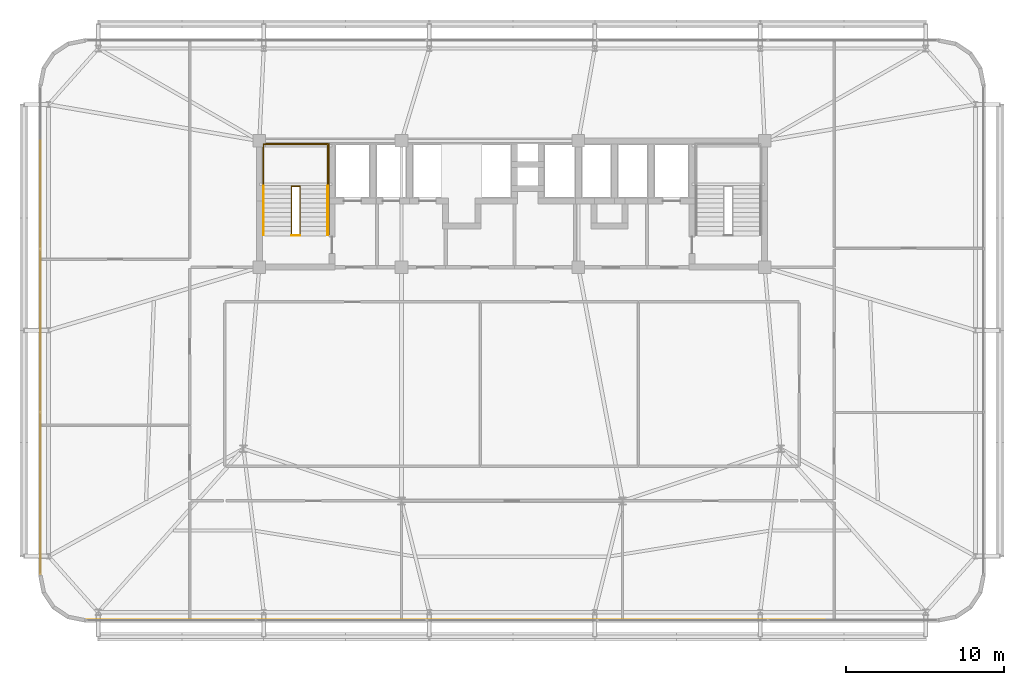
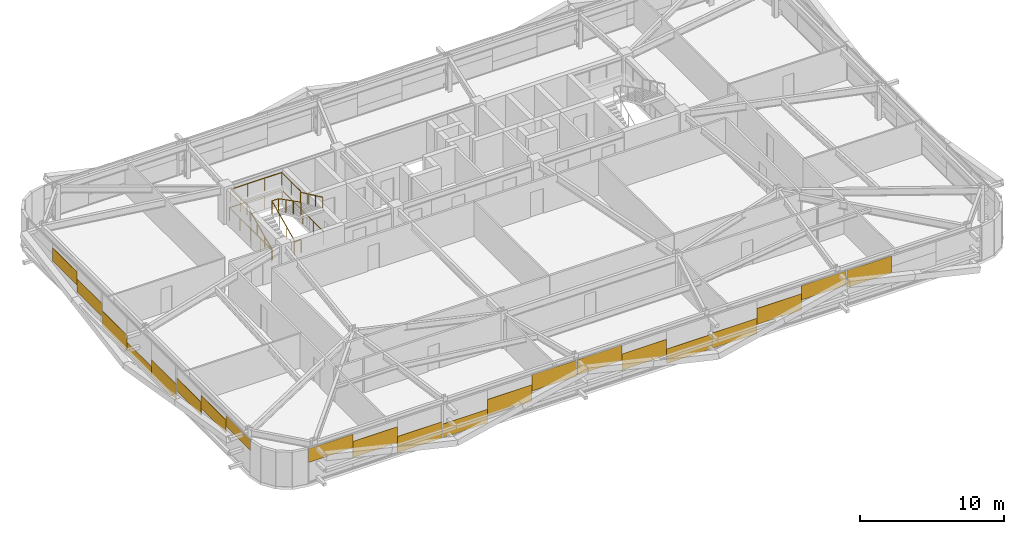
# One storey, part 42 of 44: 21 coverings, 6 railings.
"""IFC4 building model written with IfcOpenShell, lengths in metres."""

from ifc_helpers import new_model, si_unit, direction, frame, origin, origin_2d, place, context, subcontext, project, spatial, rectangle, extrude, source, transform, mapped, material, layer, layer_set, type_object, element, save


model = new_model("IFC4")

# Units and contexts
model_context = context("Model", 3, precision=1e-05, world=origin(), true_north=direction((0.0, 1.0)))
body_context = subcontext(model_context, "Body", "Model", "MODEL_VIEW")
ifc_project = project(units=[si_unit("LENGTHUNIT", "METRE"), si_unit("AREAUNIT", "SQUARE_METRE"), si_unit("VOLUMEUNIT", "CUBIC_METRE"), si_unit("PLANEANGLEUNIT", "RADIAN"), si_unit("MASSUNIT", "GRAM", prefix="KILO")], contexts=[model_context])

# Site, building, storey
site_placement = place(None, origin())
site = spatial("IfcSite", under=ifc_project, at=site_placement, CompositionType="ELEMENT")
building_placement = place(site_placement, origin())
building = spatial("IfcBuilding", under=site, at=building_placement, Name="Taldren Reach Tower", CompositionType="ELEMENT")
storey_placement = place(building_placement, frame((0.0, 0.0, 38.85009765625)))
storey = spatial("IfcBuildingStorey", under=building, at=storey_placement, Name="L11", CompositionType="ELEMENT", Elevation=38.85009765625)

# Railings
ifc_material_1 = material(Name="Steel Gr 350 (C350L0)", Category="steel")
ifc_layer_1 = layer(ifc_material_1, 0.050048828125)
ifc_layer_set_1 = layer_set([ifc_layer_1], Name="Steel Gr 350 (C350L0)")
railing_type_1 = type_object("IfcRailingType", Name="RL-STAIR-GR", PredefinedType="GUARDRAIL", material=ifc_layer_set_1)
railing_1_placement = place(storey_placement, frame((19.260009765625, 29.135009765625, 1.574951171875)))
element("IfcRailing", 1, at=railing_1_placement, inside=storey, type_object=railing_type_1, Name="Stair half-landing perimeter guard ST1-L11", PredefinedType="GUARDRAIL", context=body_context, shape_type="SweptSolid", body=[
    extrude(rectangle(XDim=0.047852, YDim=0.047852, at=origin_2d()), frame((0.0, 0.0, 1.09619140625), z_axis=(0.0, 1.0, 0.0), x_axis=(-1.0, 0.0, 0.0)), (0.0, 0.0, 1.0), 2.64501953125),
    extrude(rectangle(XDim=0.047852, YDim=0.047852, at=origin_2d()), frame((0.0, 2.64501953125, 1.09619140625), z_axis=(1.0, 0.0, 0.0), x_axis=(0.0, 1.0, 0.0)), (0.0, 0.0, 1.0), 4.080078125),
    extrude(rectangle(XDim=0.047852, YDim=0.047852, at=origin_2d()), frame((4.080078125, 2.64501953125, 1.09619140625), z_axis=(0.0, -1.0, 0.0), x_axis=(1.0, 0.0, 0.0)), (0.0, 0.0, 1.0), 2.64501953125),
    extrude(rectangle(XDim=0.041992, YDim=0.041992, at=origin_2d()), origin(), (0.0, 0.0, 1.0), 1.072021484375),
    extrude(rectangle(XDim=0.041992, YDim=0.041992, at=origin_2d()), frame((0.0, 1.322509765625, 0.0)), (0.0, 0.0, 1.0), 1.072021484375),
    extrude(rectangle(XDim=0.041992, YDim=0.041992, at=origin_2d()), frame((0.0, 2.64501953125, 0.0)), (0.0, 0.0, 1.0), 1.072021484375),
    extrude(rectangle(XDim=0.041992, YDim=0.041992, at=origin_2d()), frame((1.360107421875, 2.64501953125, 0.0)), (0.0, 0.0, 1.0), 1.072021484375),
    extrude(rectangle(XDim=0.041992, YDim=0.041992, at=origin_2d()), frame((2.719970703125, 2.64501953125, 0.0)), (0.0, 0.0, 1.0), 1.072021484375),
    extrude(rectangle(XDim=0.041992, YDim=0.041992, at=origin_2d()), frame((4.080078125, 2.64501953125, 0.0)), (0.0, 0.0, 1.0), 1.072021484375),
    extrude(rectangle(XDim=0.041992, YDim=0.041992, at=origin_2d()), frame((4.080078125, 1.322509765625, 0.0)), (0.0, 0.0, 1.0), 1.072021484375),
    extrude(rectangle(XDim=0.041992, YDim=0.041992, at=origin_2d()), frame((4.080078125, 0.0, 0.0)), (0.0, 0.0, 1.0), 1.072021484375),
])
railing_2_placement = place(storey_placement, frame((21.030029296875, 26.050048828125, 0.131103515625)))
element("IfcRailing", 2, at=railing_2_placement, inside=storey, type_object=railing_type_1, Name="Stairwell inner guard ST1-L11", PredefinedType="GUARDRAIL", context=body_context, shape_type="SweptSolid", body=[
    extrude(rectangle(XDim=0.047852, YDim=0.047852, at=origin_2d()), frame((0.0, 0.0, 1.09619140625), z_axis=(0.0, 0.905710134349, 0.423897573167), x_axis=(-1.0, 0.0, 0.0)), (0.0, 0.0, 1.0), 3.406005859375),
    extrude(rectangle(XDim=0.047852, YDim=0.047852, at=origin_2d()), frame((0.0, 3.0849609375, 2.5400390625), z_axis=(1.0, 0.0, 0.0), x_axis=(0.0, 1.0, 0.0)), (0.0, 0.0, 1.0), 0.5400390625),
    extrude(rectangle(XDim=0.047852, YDim=0.047852, at=origin_2d()), frame((0.5400390625, 3.0849609375, 2.5400390625), z_axis=(0.0, -0.890645957773, 0.45469745755), x_axis=(1.0, 0.0, 0.0)), (0.0, 0.0, 1.0), 3.463623046875),
    extrude(rectangle(XDim=0.041992, YDim=0.041992, at=origin_2d()), origin(), (0.0, 0.0, 1.0), 1.072021484375),
    extrude(rectangle(XDim=0.041992, YDim=0.041992, at=origin_2d()), frame((0.0, 1.0283203125, 0.481201171875)), (0.0, 0.0, 1.0), 1.072021484375),
    extrude(rectangle(XDim=0.041992, YDim=0.041992, at=origin_2d()), frame((0.0, 2.056640625, 0.962646484375)), (0.0, 0.0, 1.0), 1.072021484375),
    extrude(rectangle(XDim=0.041992, YDim=0.041992, at=origin_2d()), frame((0.0, 3.0849609375, 1.44384765625)), (0.0, 0.0, 1.0), 1.072021484375),
    extrude(rectangle(XDim=0.041992, YDim=0.041992, at=origin_2d()), frame((0.5400390625, 3.0849609375, 1.44384765625)), (0.0, 0.0, 1.0), 1.072021484375),
    extrude(rectangle(XDim=0.041992, YDim=0.041992, at=origin_2d()), frame((0.5400390625, 2.056640625, 1.96875)), (0.0, 0.0, 1.0), 1.072021484375),
    extrude(rectangle(XDim=0.041992, YDim=0.041992, at=origin_2d()), frame((0.5400390625, 1.0283203125, 2.493896484375)), (0.0, 0.0, 1.0), 1.072021484375),
    extrude(rectangle(XDim=0.041992, YDim=0.041992, at=origin_2d()), frame((0.5400390625, 0.0, 3.018798828125)), (0.0, 0.0, 1.0), 1.072021484375),
])
railing_3_placement = place(storey_placement, frame((21.030029296875, 26.010009765625, 0.0)))
element("IfcRailing", 3, at=railing_3_placement, inside=storey, type_object=railing_type_1, Name="Stairwell landing slot guard ST1-L11", PredefinedType="GUARDRAIL", context=body_context, shape_type="SweptSolid", body=[
    extrude(rectangle(XDim=0.047852, YDim=0.047852, at=origin_2d()), frame((0.0, 0.0, 1.09619140625), z_axis=(1.0, 0.0, 0.0), x_axis=(0.0, 1.0, 0.0)), (0.0, 0.0, 1.0), 0.5400390625),
    extrude(rectangle(XDim=0.041992, YDim=0.041992, at=origin_2d()), origin(), (0.0, 0.0, 1.0), 1.072021484375),
    extrude(rectangle(XDim=0.041992, YDim=0.041992, at=origin_2d()), frame((0.5400390625, 0.0, 0.0)), (0.0, 0.0, 1.0), 1.072021484375),
])
railing_4_placement = place(storey_placement, frame((19.18994140625, 26.050048828125, 0.0)))
element("IfcRailing", 4, at=railing_4_placement, inside=storey, type_object=railing_type_1, Name="Stairwell floor opening guard ST1-L11", PredefinedType="GUARDRAIL", context=body_context, shape_type="SweptSolid", body=[
    extrude(rectangle(XDim=0.047852, YDim=0.047852, at=origin_2d()), frame((0.0, 0.0, 1.09619140625), z_axis=(0.0, 1.0, 0.0), x_axis=(-1.0, 0.0, 0.0)), (0.0, 0.0, 1.0), 5.800048828125),
    extrude(rectangle(XDim=0.047852, YDim=0.047852, at=origin_2d()), frame((0.0, 5.800048828125, 1.09619140625), z_axis=(1.0, 0.0, 0.0), x_axis=(0.0, 1.0, 0.0)), (0.0, 0.0, 1.0), 4.219970703125),
    extrude(rectangle(XDim=0.047852, YDim=0.047852, at=origin_2d()), frame((4.219970703125, 5.800048828125, 1.09619140625), z_axis=(0.0, -1.0, 0.0), x_axis=(1.0, 0.0, 0.0)), (0.0, 0.0, 1.0), 5.800048828125),
    extrude(rectangle(XDim=0.041992, YDim=0.041992, at=origin_2d()), origin(), (0.0, 0.0, 1.0), 1.072021484375),
    extrude(rectangle(XDim=0.041992, YDim=0.041992, at=origin_2d()), frame((0.0, 1.449951171875, 0.0)), (0.0, 0.0, 1.0), 1.072021484375),
    extrude(rectangle(XDim=0.041992, YDim=0.041992, at=origin_2d()), frame((0.0, 2.89990234375, 0.0)), (0.0, 0.0, 1.0), 1.072021484375),
    extrude(rectangle(XDim=0.041992, YDim=0.041992, at=origin_2d()), frame((0.0, 4.35009765625, 0.0)), (0.0, 0.0, 1.0), 1.072021484375),
    extrude(rectangle(XDim=0.041992, YDim=0.041992, at=origin_2d()), frame((0.0, 5.800048828125, 0.0)), (0.0, 0.0, 1.0), 1.072021484375),
    extrude(rectangle(XDim=0.041992, YDim=0.041992, at=origin_2d()), frame((1.40673828125, 5.800048828125, 0.0)), (0.0, 0.0, 1.0), 1.072021484375),
    extrude(rectangle(XDim=0.041992, YDim=0.041992, at=origin_2d()), frame((2.813232421875, 5.800048828125, 0.0)), (0.0, 0.0, 1.0), 1.072021484375),
    extrude(rectangle(XDim=0.041992, YDim=0.041992, at=origin_2d()), frame((4.219970703125, 5.800048828125, 0.0)), (0.0, 0.0, 1.0), 1.072021484375),
    extrude(rectangle(XDim=0.041992, YDim=0.041992, at=origin_2d()), frame((4.219970703125, 4.35009765625, 0.0)), (0.0, 0.0, 1.0), 1.072021484375),
    extrude(rectangle(XDim=0.041992, YDim=0.041992, at=origin_2d()), frame((4.219970703125, 2.89990234375, 0.0)), (0.0, 0.0, 1.0), 1.072021484375),
    extrude(rectangle(XDim=0.041992, YDim=0.041992, at=origin_2d()), frame((4.219970703125, 1.449951171875, 0.0)), (0.0, 0.0, 1.0), 1.072021484375),
    extrude(rectangle(XDim=0.041992, YDim=0.041992, at=origin_2d()), frame((4.219970703125, 0.0, 0.0)), (0.0, 0.0, 1.0), 1.072021484375),
])
ifc_material_2 = material(Name="Stainless Steel Gr 316", Category="steel")
ifc_layer_2 = layer(ifc_material_2, 0.048095703125)
ifc_layer_set_2 = layer_set([ifc_layer_2], Name="Stainless Steel Gr 316")
railing_type_2 = type_object("IfcRailingType", Name="RL-STAIR-HR", PredefinedType="HANDRAIL", material=ifc_layer_set_2)
railing_5_placement = place(storey_placement, frame((19.27001953125, 26.050048828125, 0.131103515625)))
element("IfcRailing", 5, at=railing_5_placement, inside=storey, type_object=railing_type_2, Name="Stair flight handrail ST1-L11-1", PredefinedType="HANDRAIL", context=body_context, shape_type="SweptSolid", body=[
    extrude(rectangle(XDim=0.047852, YDim=0.047852, at=origin_2d()), frame((0.0, 0.0, 0.89599609375), z_axis=(0.0, 0.905710134349, 0.423897573167), x_axis=(-1.0, 0.0, 0.0)), (0.0, 0.0, 1.0), 3.406005859375),
    extrude(rectangle(XDim=0.041992, YDim=0.041992, at=origin_2d()), origin(), (0.0, 0.0, 1.0), 0.871826171875),
    extrude(rectangle(XDim=0.041992, YDim=0.041992, at=origin_2d()), frame((0.0, 1.0283203125, 0.481201171875)), (0.0, 0.0, 1.0), 0.871826171875),
    extrude(rectangle(XDim=0.041992, YDim=0.041992, at=origin_2d()), frame((0.0, 2.056640625, 0.962646484375)), (0.0, 0.0, 1.0), 0.871826171875),
    extrude(rectangle(XDim=0.041992, YDim=0.041992, at=origin_2d()), frame((0.0, 3.0849609375, 1.44384765625)), (0.0, 0.0, 1.0), 0.871826171875),
])
railing_6_placement = place(storey_placement, frame((23.330078125, 29.135009765625, 1.7060546875)))
element("IfcRailing", 6, at=railing_6_placement, inside=storey, type_object=railing_type_2, Name="Stair flight handrail ST1-L11-2", PredefinedType="HANDRAIL", context=body_context, shape_type="SweptSolid", body=[
    extrude(rectangle(XDim=0.047852, YDim=0.047852, at=origin_2d()), frame((0.0, 0.0, 0.89599609375), z_axis=(0.0, -0.905710134349, 0.423897573167), x_axis=(1.0, 0.0, 0.0)), (0.0, 0.0, 1.0), 3.406005859375),
    extrude(rectangle(XDim=0.041992, YDim=0.041992, at=origin_2d()), origin(), (0.0, 0.0, 1.0), 0.871826171875),
    extrude(rectangle(XDim=0.041992, YDim=0.041992, at=origin_2d()), frame((0.0, -1.0283203125, 0.481201171875)), (0.0, 0.0, 1.0), 0.871826171875),
    extrude(rectangle(XDim=0.041992, YDim=0.041992, at=origin_2d()), frame((0.0, -2.056640625, 0.962646484375)), (0.0, 0.0, 1.0), 0.871826171875),
    extrude(rectangle(XDim=0.041992, YDim=0.041992, at=origin_2d()), frame((0.0, -3.0849609375, 1.44384765625)), (0.0, 0.0, 1.0), 0.871826171875),
])

# Coverings
ifc_material_3 = material(Name="Pale Champagne Fluoropolymer Aluminium Spandrel Cladding", Category="aluminium")
ifc_layer_3 = layer(ifc_material_3, 0.0439453125)
ifc_layer_set_3 = layer_set([ifc_layer_3], Name="Pale Champagne Fluoropolymer Aluminium Spandrel Cladding")
covering_type = type_object("IfcCoveringType", Name="CV-CLAD-044", PredefinedType="CLADDING", material=ifc_layer_set_3)
shared_shape_1 = source(origin(), body_context, "Body", "SweptSolid", [
    extrude(rectangle(XDim=3.5673828125, YDim=0.0439453125, at=origin_2d()), origin(), (0.0, 0.0, 1.0), 1.36083984375),
])
covering_1_placement = place(storey_placement, frame((13.416259765625, 1.639892578125, 0.899169921875), z_axis=(0.0, 0.0, 1.0), x_axis=(1.0, 0.0, 0.0)))
element("IfcCovering", 7, at=covering_1_placement, inside=storey, type_object=covering_type, Name="Diagrid closure cladding strip CW-2 panel 1.1 2", PredefinedType="CLADDING", context=body_context, shape_type="MappedRepresentation", body=[
    mapped(shared_shape_1, transform((0.0, 0.0, 0.0), scale=1.0)),
])
shared_shape_2 = source(origin(), body_context, "Body", "SweptSolid", [
    extrude(rectangle(XDim=3.5673828125, YDim=0.0439453125, at=origin_2d()), origin(), (0.0, 0.0, 1.0), 1.437744140625),
])
covering_2_placement = place(storey_placement, frame((53.016357421875, 1.639892578125, 1.43701171875), z_axis=(0.0, 0.0, 1.0), x_axis=(1.0, 0.0, 0.0)))
element("IfcCovering", 8, at=covering_2_placement, inside=storey, type_object=covering_type, Name="Diagrid closure cladding strip CW-2 panel 5.1 1", PredefinedType="CLADDING", context=body_context, shape_type="MappedRepresentation", body=[
    mapped(shared_shape_2, transform((0.0, 0.0, 0.0), scale=1.0)),
])
shared_shape_3 = source(origin(), body_context, "Body", "SweptSolid", [
    extrude(rectangle(XDim=3.578369140625, YDim=0.0439453125, at=origin_2d()), origin(), (0.0, 0.0, 1.0), 1.2177734375),
])
covering_3_placement = place(storey_placement, frame((49.37841796875, 1.639892578125, 1.6572265625), z_axis=(0.0, 0.0, 1.0), x_axis=(1.0, 0.0, 0.0)))
element("IfcCovering", 9, at=covering_3_placement, inside=storey, type_object=covering_type, Name="Diagrid closure cladding strip CW-2 panel 4.1 3", PredefinedType="CLADDING", context=body_context, shape_type="MappedRepresentation", body=[
    mapped(shared_shape_3, transform((0.0, 0.0, 0.0), scale=1.0)),
])
shared_shape_4 = source(origin(), body_context, "Body", "SweptSolid", [
    extrude(rectangle(XDim=3.578369140625, YDim=0.0439453125, at=origin_2d()), origin(), (0.0, 0.0, 1.0), 1.36328125),
])
for number, where, z_axis, x_axis, name in (
    (10, (24.199951171875, 1.639892578125, 0.678955078125), (0.0, 0.0, 1.0), (1.0, 0.0, 0.0), "Diagrid closure cladding strip CW-2 panel 2.1 2"),
    (11, (35.0, 1.639892578125, 0.753173828125), (0.0, 0.0, 1.0), (1.0, 0.0, 0.0), "Diagrid closure cladding strip CW-2 panel 3.1 2"),
    (12, (45.800048828125, 1.639892578125, 0.827392578125), (0.0, 0.0, 1.0), (1.0, 0.0, 0.0), "Diagrid closure cladding strip CW-2 panel 4.1 2"),
):
    element("IfcCovering", number, at=place(storey_placement, frame(where, z_axis=z_axis, x_axis=x_axis)), inside=storey, type_object=covering_type, Name=name, PredefinedType="CLADDING", context=body_context, shape_type="MappedRepresentation", body=[
        mapped(shared_shape_4, transform((0.0, 0.0, 0.0), scale=1.0)),
    ])
shared_shape_5 = source(origin(), body_context, "Body", "SweptSolid", [
    extrude(rectangle(XDim=3.578369140625, YDim=0.0439453125, at=origin_2d()), origin(), (0.0, 0.0, 1.0), 1.30615234375),
])
covering_4_placement = place(storey_placement, frame((42.2216796875, 1.639892578125, 0.054931640625), z_axis=(0.0, 0.0, 1.0), x_axis=(1.0, 0.0, 0.0)))
element("IfcCovering", 13, at=covering_4_placement, inside=storey, type_object=covering_type, Name="Diagrid closure cladding strip CW-2 panel 4.1 1", PredefinedType="CLADDING", context=body_context, shape_type="MappedRepresentation", body=[
    mapped(shared_shape_5, transform((0.0, 0.0, 0.0), scale=1.0)),
])
shared_shape_6 = source(origin(), body_context, "Body", "SweptSolid", [
    extrude(rectangle(XDim=3.578369140625, YDim=0.0439453125, at=origin_2d()), origin(), (0.0, 0.0, 1.0), 1.23193359375),
])
covering_5_placement = place(storey_placement, frame((38.578369140625, 1.639892578125, 0.054931640625), z_axis=(0.0, 0.0, 1.0), x_axis=(1.0, 0.0, 0.0)))
element("IfcCovering", 14, at=covering_5_placement, inside=storey, type_object=covering_type, Name="Diagrid closure cladding strip CW-2 panel 3.1 3", PredefinedType="CLADDING", context=body_context, shape_type="MappedRepresentation", body=[
    mapped(shared_shape_6, transform((0.0, 0.0, 0.0), scale=1.0)),
])
shared_shape_7 = source(origin(), body_context, "Body", "SweptSolid", [
    extrude(rectangle(XDim=3.578369140625, YDim=0.0439453125, at=origin_2d()), origin(), (0.0, 0.0, 1.0), 1.2919921875),
])
covering_6_placement = place(storey_placement, frame((31.421630859375, 1.639892578125, 1.5830078125), z_axis=(0.0, 0.0, 1.0), x_axis=(1.0, 0.0, 0.0)))
element("IfcCovering", 15, at=covering_6_placement, inside=storey, type_object=covering_type, Name="Diagrid closure cladding strip CW-2 panel 3.1 1", PredefinedType="CLADDING", context=body_context, shape_type="MappedRepresentation", body=[
    mapped(shared_shape_7, transform((0.0, 0.0, 0.0), scale=1.0)),
])
shared_shape_8 = source(origin(), body_context, "Body", "SweptSolid", [
    extrude(rectangle(XDim=3.578369140625, YDim=0.0439453125, at=origin_2d()), origin(), (0.0, 0.0, 1.0), 1.3662109375),
])
covering_7_placement = place(storey_placement, frame((27.7783203125, 1.639892578125, 1.5087890625), z_axis=(0.0, 0.0, 1.0), x_axis=(1.0, 0.0, 0.0)))
element("IfcCovering", 16, at=covering_7_placement, inside=storey, type_object=covering_type, Name="Diagrid closure cladding strip CW-2 panel 2.1 3", PredefinedType="CLADDING", context=body_context, shape_type="MappedRepresentation", body=[
    mapped(shared_shape_8, transform((0.0, 0.0, 0.0), scale=1.0)),
])
shared_shape_9 = source(origin(), body_context, "Body", "SweptSolid", [
    extrude(rectangle(XDim=3.578369140625, YDim=0.0439453125, at=origin_2d()), origin(), (0.0, 0.0, 1.0), 1.15771484375),
])
covering_8_placement = place(storey_placement, frame((20.62158203125, 1.639892578125, 0.054931640625), z_axis=(0.0, 0.0, 1.0), x_axis=(1.0, 0.0, 0.0)))
element("IfcCovering", 17, at=covering_8_placement, inside=storey, type_object=covering_type, Name="Diagrid closure cladding strip CW-2 panel 2.1 1", PredefinedType="CLADDING", context=body_context, shape_type="MappedRepresentation", body=[
    mapped(shared_shape_9, transform((0.0, 0.0, 0.0), scale=1.0)),
])
shared_shape_10 = source(origin(), body_context, "Body", "SweptSolid", [
    extrude(rectangle(XDim=3.5673828125, YDim=0.0439453125, at=origin_2d()), origin(), (0.0, 0.0, 1.0), 1.377685546875),
])
covering_9_placement = place(storey_placement, frame((16.983642578125, 1.639892578125, 0.05517578125), z_axis=(0.0, 0.0, 1.0), x_axis=(1.0, 0.0, 0.0)))
element("IfcCovering", 18, at=covering_9_placement, inside=storey, type_object=covering_type, Name="Diagrid closure cladding strip CW-2 panel 1.1 3", PredefinedType="CLADDING", context=body_context, shape_type="MappedRepresentation", body=[
    mapped(shared_shape_10, transform((0.0, 0.0, 0.0), scale=1.0)),
])
shared_shape_11 = source(origin(), body_context, "Body", "SweptSolid", [
    extrude(rectangle(XDim=3.5673828125, YDim=0.0439453125, at=origin_2d()), origin(), (0.0, 0.0, 1.0), 1.1484375),
])
covering_10_placement = place(storey_placement, frame((9.8486328125, 1.639892578125, 1.726318359375), z_axis=(0.0, 0.0, 1.0), x_axis=(1.0, 0.0, 0.0)))
element("IfcCovering", 19, at=covering_10_placement, inside=storey, type_object=covering_type, Name="Diagrid closure cladding strip CW-2 panel 1.1 1", PredefinedType="CLADDING", context=body_context, shape_type="MappedRepresentation", body=[
    mapped(shared_shape_11, transform((0.0, 0.0, 0.0), scale=1.0)),
])
shared_shape_12 = source(origin(), body_context, "Body", "SweptSolid", [
    extrude(rectangle(XDim=3.411865234375, YDim=0.0439453125, at=origin_2d()), origin(), (0.0, 0.0, 1.0), 0.87548828125),
])
covering_11_placement = place(storey_placement, frame((5.139892578125, 6.27099609375, 1.999267578125), z_axis=(0.0, 0.0, 1.0), x_axis=(0.0, -1.0, 0.0)))
element("IfcCovering", 20, at=covering_11_placement, inside=storey, type_object=covering_type, Name="Diagrid closure cladding strip CW-2 panel 3.1 3", PredefinedType="CLADDING", context=body_context, shape_type="MappedRepresentation", body=[
    mapped(shared_shape_12, transform((0.0, 0.0, 0.0), scale=1.0)),
])
shared_shape_13 = source(origin(), body_context, "Body", "SweptSolid", [
    extrude(rectangle(XDim=3.411865234375, YDim=0.0439453125, at=origin_2d()), origin(), (0.0, 0.0, 1.0), 1.107177734375),
])
for number, where, z_axis, x_axis, name in (
    (21, (5.139892578125, 30.317138671875, 1.41943359375), (0.0, 0.0, 1.0), (0.0, -1.0, 0.0), "Diagrid closure cladding strip CW-2 panel 1.1 2"),
    (22, (5.139892578125, 26.905029296875, 0.83984375), (0.0, 0.0, 1.0), (0.0, -1.0, 0.0), "Diagrid closure cladding strip CW-2 panel 1.1 3"),
    (23, (5.139892578125, 13.094970703125, 0.83984375), (0.0, 0.0, 1.0), (0.0, -1.0, 0.0), "Diagrid closure cladding strip CW-2 panel 3.1 1"),
    (24, (5.139892578125, 9.682861328125, 1.41943359375), (0.0, 0.0, 1.0), (0.0, -1.0, 0.0), "Diagrid closure cladding strip CW-2 panel 3.1 2"),
):
    element("IfcCovering", number, at=place(storey_placement, frame(where, z_axis=z_axis, x_axis=x_axis)), inside=storey, type_object=covering_type, Name=name, PredefinedType="CLADDING", context=body_context, shape_type="MappedRepresentation", body=[
        mapped(shared_shape_13, transform((0.0, 0.0, 0.0), scale=1.0)),
    ])
shared_shape_14 = source(origin(), body_context, "Body", "SweptSolid", [
    extrude(rectangle(XDim=3.4228515625, YDim=0.0439453125, at=origin_2d()), origin(), (0.0, 0.0, 1.0), 1.301025390625),
])
for number, where, z_axis, x_axis, name in (
    (25, (5.139892578125, 23.4228515625, 0.05517578125), (0.0, 0.0, 1.0), (0.0, -1.0, 0.0), "Diagrid closure cladding strip CW-2 panel 2.1 1"),
    (26, (5.139892578125, 16.5771484375, 0.05517578125), (0.0, 0.0, 1.0), (0.0, -1.0, 0.0), "Diagrid closure cladding strip CW-2 panel 2.1 3"),
):
    element("IfcCovering", number, at=place(storey_placement, frame(where, z_axis=z_axis, x_axis=x_axis)), inside=storey, type_object=covering_type, Name=name, PredefinedType="CLADDING", context=body_context, shape_type="MappedRepresentation", body=[
        mapped(shared_shape_14, transform((0.0, 0.0, 0.0), scale=1.0)),
    ])
shared_shape_15 = source(origin(), body_context, "Body", "SweptSolid", [
    extrude(rectangle(XDim=3.4228515625, YDim=0.0439453125, at=origin_2d()), origin(), (0.0, 0.0, 1.0), 0.719482421875),
])
covering_12_placement = place(storey_placement, frame((5.139892578125, 20.0, 0.0546875), z_axis=(0.0, 0.0, 1.0), x_axis=(0.0, -1.0, 0.0)))
element("IfcCovering", 27, at=covering_12_placement, inside=storey, type_object=covering_type, Name="Diagrid closure cladding strip CW-2 panel 2.1 2", PredefinedType="CLADDING", context=body_context, shape_type="MappedRepresentation", body=[
    mapped(shared_shape_15, transform((0.0, 0.0, 0.0), scale=1.0)),
])

save(model, "model.ifc")
